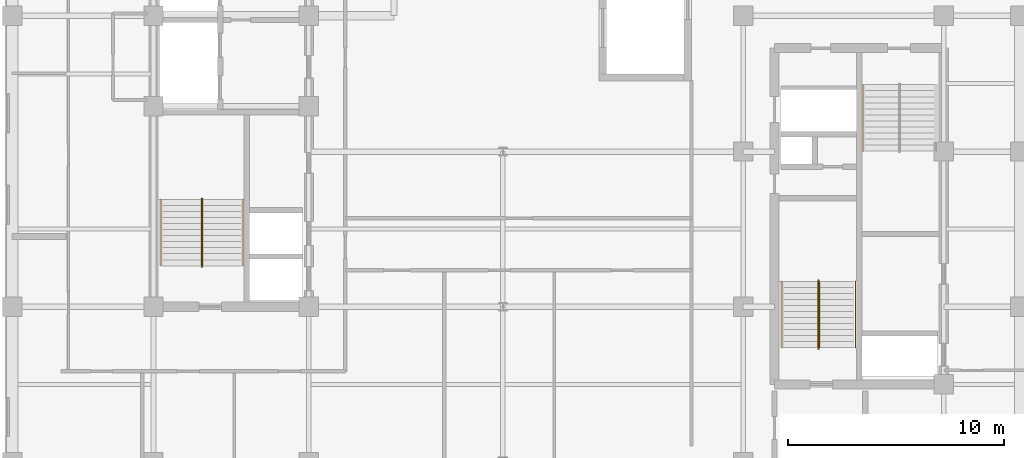
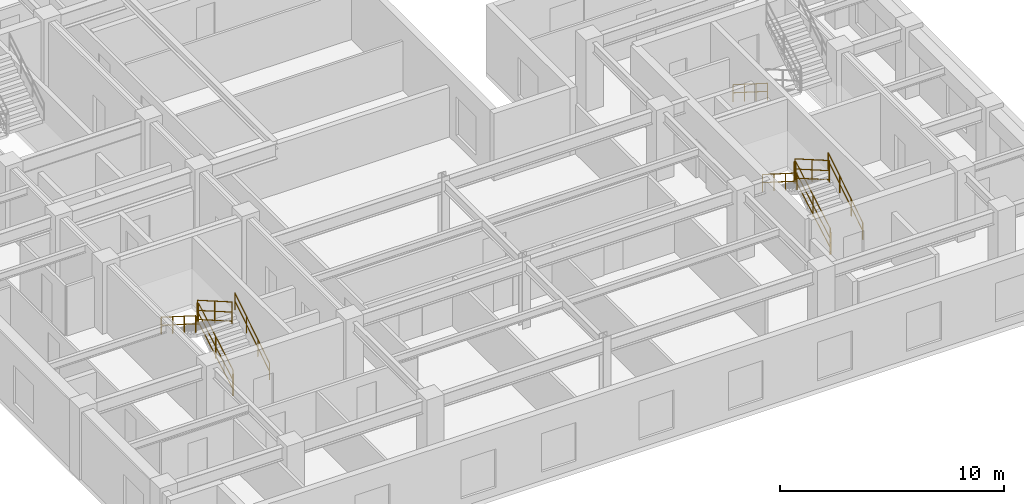
# One storey, part 8 of 10: 13 railings.
"""IFC4 building model written with IfcOpenShell, lengths in metres."""

from ifc_helpers import new_model, entity, si_unit, converted_unit, direction, frame, origin_with_axes, origin_2d_with_axis, place, context, subcontext, project, spatial, rectangle, circle, extrude, material, type_object, element, save


model = new_model("IFC4")

# Units and contexts
model_context = context("Model", 3, precision=1e-05, world=origin_with_axes(), true_north=direction((0.0, 1.0)))
body_context = subcontext(model_context, "Body", "Model", "MODEL_VIEW")
ifc_project = project(units=[si_unit("LENGTHUNIT", "METRE"), si_unit("AREAUNIT", "SQUARE_METRE"), si_unit("VOLUMEUNIT", "CUBIC_METRE"), converted_unit("PLANEANGLEUNIT", "DEGREE", entity("IfcPlaneAngleMeasure", 0.017453292519943295), si_unit("PLANEANGLEUNIT", "RADIAN"), dimensions=[0, 0, 0, 0, 0, 0, 0]), si_unit("MASSUNIT", "GRAM", prefix="KILO"), si_unit("THERMODYNAMICTEMPERATUREUNIT", "KELVIN")], contexts=[model_context])

# Site, building, storey
site_placement = place(None, origin_with_axes())
site = spatial("IfcSite", under=ifc_project, at=site_placement, CompositionType="ELEMENT")
building_placement = place(site_placement, origin_with_axes())
building = spatial("IfcBuilding", under=site, at=building_placement, Name="Varnlund Millrace Tower", CompositionType="ELEMENT")
storey_placement = place(building_placement, frame((0.0, 0.0, 232.5), z_axis=(0.0, 0.0, 1.0), x_axis=(1.0, 0.0, 0.0)))
storey = spatial("IfcBuildingStorey", under=building, at=storey_placement, Name="L57", CompositionType="ELEMENT", Elevation=232.5)

# Railings
ifc_material_1 = material(Name="Painted steel stair well balustrade guard", Category="steel")
railing_type_1 = type_object("IfcRailingType", Name="Type-StairGuard-1150", PredefinedType="GUARDRAIL", material=ifc_material_1)
railing_1_placement = place(storey_placement, frame((0.0, 0.0, -232.5), z_axis=(0.0, 0.0, 1.0), x_axis=(1.0, 0.0, 0.0)))
element("IfcRailing", 1, at=railing_1_placement, inside=storey, type_object=railing_type_1, Name="Type-StairGuard-1150", PredefinedType="GUARDRAIL", context=body_context, shape_type="SweptSolid", body=[
    extrude(circle(Radius=0.024, at=origin_2d_with_axis()), frame((13.675, 12.7, 233.827273), z_axis=(0.0, 0.866696, 0.498836), x_axis=(-1.0, 0.0, 0.0)), (0.0, 0.0, 1.0), 3.553725),
    extrude(circle(Radius=0.024, at=origin_2d_with_axis()), frame((13.675, 12.7, 232.777273), z_axis=(0.0, 0.866696, 0.498836), x_axis=(-1.0, 0.0, 0.0)), (0.0, 0.0, 1.0), 3.553725),
    extrude(circle(Radius=0.024, at=origin_2d_with_axis()), frame((13.675, 12.7, 233.275273), z_axis=(0.0, 0.866696, 0.498836), x_axis=(-1.0, 0.0, 0.0)), (0.0, 0.0, 1.0), 3.553725),
    extrude(rectangle(XDim=0.04, YDim=0.04, at=origin_2d_with_axis()), frame((13.675, 12.7, 232.637273), z_axis=(0.0, 0.0, 1.0), x_axis=(1.0, 0.0, 0.0)), (0.0, 0.0, 1.0), 1.19),
    extrude(rectangle(XDim=0.04, YDim=0.04, at=origin_2d_with_axis()), frame((13.675, 14.24, 233.523637), z_axis=(0.0, 0.0, 1.0), x_axis=(1.0, 0.0, 0.0)), (0.0, 0.0, 1.0), 1.19),
    extrude(rectangle(XDim=0.04, YDim=0.04, at=origin_2d_with_axis()), frame((13.675, 15.78, 234.41), z_axis=(0.0, 0.0, 1.0), x_axis=(1.0, 0.0, 0.0)), (0.0, 0.0, 1.0), 1.19),
])
railing_2_placement = place(storey_placement, frame((0.0, 0.0, -232.5), z_axis=(0.0, 0.0, 1.0), x_axis=(1.0, 0.0, 0.0)))
element("IfcRailing", 2, at=railing_2_placement, inside=storey, type_object=railing_type_1, Name="Type-StairGuard-1150", PredefinedType="GUARDRAIL", context=body_context, shape_type="SweptSolid", body=[
    extrude(circle(Radius=0.024, at=origin_2d_with_axis()), frame((13.625, 15.83, 235.6), z_axis=(1.0, 0.0, 0.0), x_axis=(0.0, 1.0, 0.0)), (0.0, 0.0, 1.0), 0.05),
    extrude(circle(Radius=0.024, at=origin_2d_with_axis()), frame((13.625, 15.83, 234.55), z_axis=(1.0, 0.0, 0.0), x_axis=(0.0, 1.0, 0.0)), (0.0, 0.0, 1.0), 0.05),
    extrude(circle(Radius=0.024, at=origin_2d_with_axis()), frame((13.625, 15.83, 235.048), z_axis=(1.0, 0.0, 0.0), x_axis=(0.0, 1.0, 0.0)), (0.0, 0.0, 1.0), 0.05),
    extrude(rectangle(XDim=0.04, YDim=0.04, at=origin_2d_with_axis()), frame((13.625, 15.83, 234.41), z_axis=(0.0, 0.0, 1.0), x_axis=(1.0, 0.0, 0.0)), (0.0, 0.0, 1.0), 1.19),
    extrude(rectangle(XDim=0.04, YDim=0.04, at=origin_2d_with_axis()), frame((13.675, 15.83, 234.41), z_axis=(0.0, 0.0, 1.0), x_axis=(1.0, 0.0, 0.0)), (0.0, 0.0, 1.0), 1.19),
])
railing_3_placement = place(storey_placement, frame((0.0, 0.0, -232.5), z_axis=(0.0, 0.0, 1.0), x_axis=(1.0, 0.0, 0.0)))
element("IfcRailing", 3, at=railing_3_placement, inside=storey, type_object=railing_type_1, Name="Type-StairGuard-1150", PredefinedType="GUARDRAIL", context=body_context, shape_type="SweptSolid", body=[
    extrude(circle(Radius=0.024, at=origin_2d_with_axis()), frame((13.625, 15.78, 235.777273), z_axis=(0.0, -0.866696, 0.498836), x_axis=(1.0, 0.0, 0.0)), (0.0, 0.0, 1.0), 3.553725),
    extrude(circle(Radius=0.024, at=origin_2d_with_axis()), frame((13.625, 15.78, 234.727273), z_axis=(0.0, -0.866696, 0.498836), x_axis=(1.0, 0.0, 0.0)), (0.0, 0.0, 1.0), 3.553725),
    extrude(circle(Radius=0.024, at=origin_2d_with_axis()), frame((13.625, 15.78, 235.225273), z_axis=(0.0, -0.866696, 0.498836), x_axis=(1.0, 0.0, 0.0)), (0.0, 0.0, 1.0), 3.553725),
    extrude(rectangle(XDim=0.04, YDim=0.04, at=origin_2d_with_axis()), frame((13.625, 15.78, 234.587273), z_axis=(0.0, 0.0, 1.0), x_axis=(1.0, 0.0, 0.0)), (0.0, 0.0, 1.0), 1.19),
    extrude(rectangle(XDim=0.04, YDim=0.04, at=origin_2d_with_axis()), frame((13.625, 14.24, 235.473637), z_axis=(0.0, 0.0, 1.0), x_axis=(1.0, 0.0, 0.0)), (0.0, 0.0, 1.0), 1.19),
    extrude(rectangle(XDim=0.04, YDim=0.04, at=origin_2d_with_axis()), frame((13.625, 12.7, 236.36), z_axis=(0.0, 0.0, 1.0), x_axis=(1.0, 0.0, 0.0)), (0.0, 0.0, 1.0), 1.19),
])
railing_4_placement = place(storey_placement, frame((0.0, 0.0, -232.5), z_axis=(0.0, 0.0, 1.0), x_axis=(1.0, 0.0, 0.0)))
element("IfcRailing", 4, at=railing_4_placement, inside=storey, type_object=railing_type_1, Name="Type-StairGuard-1150", PredefinedType="GUARDRAIL", context=body_context, shape_type="SweptSolid", body=[
    extrude(circle(Radius=0.024, at=origin_2d_with_axis()), frame((13.625, 12.65, 233.65), z_axis=(1.0, 0.0, 0.0), x_axis=(0.0, 1.0, 0.0)), (0.0, 0.0, 1.0), 0.05),
    extrude(circle(Radius=0.024, at=origin_2d_with_axis()), frame((13.625, 12.65, 232.6), z_axis=(1.0, 0.0, 0.0), x_axis=(0.0, 1.0, 0.0)), (0.0, 0.0, 1.0), 0.05),
    extrude(circle(Radius=0.024, at=origin_2d_with_axis()), frame((13.625, 12.65, 233.098), z_axis=(1.0, 0.0, 0.0), x_axis=(0.0, 1.0, 0.0)), (0.0, 0.0, 1.0), 0.05),
    extrude(rectangle(XDim=0.04, YDim=0.04, at=origin_2d_with_axis()), frame((13.625, 12.65, 232.46), z_axis=(0.0, 0.0, 1.0), x_axis=(1.0, 0.0, 0.0)), (0.0, 0.0, 1.0), 1.19),
    extrude(rectangle(XDim=0.04, YDim=0.04, at=origin_2d_with_axis()), frame((13.675, 12.65, 232.46), z_axis=(0.0, 0.0, 1.0), x_axis=(1.0, 0.0, 0.0)), (0.0, 0.0, 1.0), 1.19),
])
railing_5_placement = place(storey_placement, frame((0.0, 0.0, -232.5), z_axis=(0.0, 0.0, 1.0), x_axis=(1.0, 0.0, 0.0)))
element("IfcRailing", 5, at=railing_5_placement, inside=storey, type_object=railing_type_1, Name="Type-StairGuard-1150", PredefinedType="GUARDRAIL", context=body_context, shape_type="SweptSolid", body=[
    extrude(circle(Radius=0.024, at=origin_2d_with_axis()), frame((42.275, 8.9, 233.827273), z_axis=(0.0, 0.866696, 0.498836), x_axis=(-1.0, 0.0, 0.0)), (0.0, 0.0, 1.0), 3.553725),
    extrude(circle(Radius=0.024, at=origin_2d_with_axis()), frame((42.275, 8.9, 232.777273), z_axis=(0.0, 0.866696, 0.498836), x_axis=(-1.0, 0.0, 0.0)), (0.0, 0.0, 1.0), 3.553725),
    extrude(circle(Radius=0.024, at=origin_2d_with_axis()), frame((42.275, 8.9, 233.275273), z_axis=(0.0, 0.866696, 0.498836), x_axis=(-1.0, 0.0, 0.0)), (0.0, 0.0, 1.0), 3.553725),
    extrude(rectangle(XDim=0.04, YDim=0.04, at=origin_2d_with_axis()), frame((42.275, 8.9, 232.637273), z_axis=(0.0, 0.0, 1.0), x_axis=(1.0, 0.0, 0.0)), (0.0, 0.0, 1.0), 1.19),
    extrude(rectangle(XDim=0.04, YDim=0.04, at=origin_2d_with_axis()), frame((42.275, 10.44, 233.523637), z_axis=(0.0, 0.0, 1.0), x_axis=(1.0, 0.0, 0.0)), (0.0, 0.0, 1.0), 1.19),
    extrude(rectangle(XDim=0.04, YDim=0.04, at=origin_2d_with_axis()), frame((42.275, 11.98, 234.41), z_axis=(0.0, 0.0, 1.0), x_axis=(1.0, 0.0, 0.0)), (0.0, 0.0, 1.0), 1.19),
])
railing_6_placement = place(storey_placement, frame((0.0, 0.0, -232.5), z_axis=(0.0, 0.0, 1.0), x_axis=(1.0, 0.0, 0.0)))
element("IfcRailing", 6, at=railing_6_placement, inside=storey, type_object=railing_type_1, Name="Type-StairGuard-1150", PredefinedType="GUARDRAIL", context=body_context, shape_type="SweptSolid", body=[
    extrude(circle(Radius=0.024, at=origin_2d_with_axis()), frame((42.225, 12.03, 235.6), z_axis=(1.0, 0.0, 0.0), x_axis=(0.0, 1.0, 0.0)), (0.0, 0.0, 1.0), 0.05),
    extrude(circle(Radius=0.024, at=origin_2d_with_axis()), frame((42.225, 12.03, 234.55), z_axis=(1.0, 0.0, 0.0), x_axis=(0.0, 1.0, 0.0)), (0.0, 0.0, 1.0), 0.05),
    extrude(circle(Radius=0.024, at=origin_2d_with_axis()), frame((42.225, 12.03, 235.048), z_axis=(1.0, 0.0, 0.0), x_axis=(0.0, 1.0, 0.0)), (0.0, 0.0, 1.0), 0.05),
    extrude(rectangle(XDim=0.04, YDim=0.04, at=origin_2d_with_axis()), frame((42.225, 12.03, 234.41), z_axis=(0.0, 0.0, 1.0), x_axis=(1.0, 0.0, 0.0)), (0.0, 0.0, 1.0), 1.19),
    extrude(rectangle(XDim=0.04, YDim=0.04, at=origin_2d_with_axis()), frame((42.275, 12.03, 234.41), z_axis=(0.0, 0.0, 1.0), x_axis=(1.0, 0.0, 0.0)), (0.0, 0.0, 1.0), 1.19),
])
railing_7_placement = place(storey_placement, frame((0.0, 0.0, -232.5), z_axis=(0.0, 0.0, 1.0), x_axis=(1.0, 0.0, 0.0)))
element("IfcRailing", 7, at=railing_7_placement, inside=storey, type_object=railing_type_1, Name="Type-StairGuard-1150", PredefinedType="GUARDRAIL", context=body_context, shape_type="SweptSolid", body=[
    extrude(circle(Radius=0.024, at=origin_2d_with_axis()), frame((42.225, 11.98, 235.777273), z_axis=(0.0, -0.866696, 0.498836), x_axis=(1.0, 0.0, 0.0)), (0.0, 0.0, 1.0), 3.553725),
    extrude(circle(Radius=0.024, at=origin_2d_with_axis()), frame((42.225, 11.98, 234.727273), z_axis=(0.0, -0.866696, 0.498836), x_axis=(1.0, 0.0, 0.0)), (0.0, 0.0, 1.0), 3.553725),
    extrude(circle(Radius=0.024, at=origin_2d_with_axis()), frame((42.225, 11.98, 235.225273), z_axis=(0.0, -0.866696, 0.498836), x_axis=(1.0, 0.0, 0.0)), (0.0, 0.0, 1.0), 3.553725),
    extrude(rectangle(XDim=0.04, YDim=0.04, at=origin_2d_with_axis()), frame((42.225, 11.98, 234.587273), z_axis=(0.0, 0.0, 1.0), x_axis=(1.0, 0.0, 0.0)), (0.0, 0.0, 1.0), 1.19),
    extrude(rectangle(XDim=0.04, YDim=0.04, at=origin_2d_with_axis()), frame((42.225, 10.44, 235.473637), z_axis=(0.0, 0.0, 1.0), x_axis=(1.0, 0.0, 0.0)), (0.0, 0.0, 1.0), 1.19),
    extrude(rectangle(XDim=0.04, YDim=0.04, at=origin_2d_with_axis()), frame((42.225, 8.9, 236.36), z_axis=(0.0, 0.0, 1.0), x_axis=(1.0, 0.0, 0.0)), (0.0, 0.0, 1.0), 1.19),
])
railing_8_placement = place(storey_placement, frame((0.0, 0.0, -232.5), z_axis=(0.0, 0.0, 1.0), x_axis=(1.0, 0.0, 0.0)))
element("IfcRailing", 8, at=railing_8_placement, inside=storey, type_object=railing_type_1, Name="Type-StairGuard-1150", PredefinedType="GUARDRAIL", context=body_context, shape_type="SweptSolid", body=[
    extrude(circle(Radius=0.024, at=origin_2d_with_axis()), frame((42.225, 8.85, 233.65), z_axis=(1.0, 0.0, 0.0), x_axis=(0.0, 1.0, 0.0)), (0.0, 0.0, 1.0), 0.05),
    extrude(circle(Radius=0.024, at=origin_2d_with_axis()), frame((42.225, 8.85, 232.6), z_axis=(1.0, 0.0, 0.0), x_axis=(0.0, 1.0, 0.0)), (0.0, 0.0, 1.0), 0.05),
    extrude(circle(Radius=0.024, at=origin_2d_with_axis()), frame((42.225, 8.85, 233.098), z_axis=(1.0, 0.0, 0.0), x_axis=(0.0, 1.0, 0.0)), (0.0, 0.0, 1.0), 0.05),
    extrude(rectangle(XDim=0.04, YDim=0.04, at=origin_2d_with_axis()), frame((42.225, 8.85, 232.46), z_axis=(0.0, 0.0, 1.0), x_axis=(1.0, 0.0, 0.0)), (0.0, 0.0, 1.0), 1.19),
    extrude(rectangle(XDim=0.04, YDim=0.04, at=origin_2d_with_axis()), frame((42.275, 8.85, 232.46), z_axis=(0.0, 0.0, 1.0), x_axis=(1.0, 0.0, 0.0)), (0.0, 0.0, 1.0), 1.19),
])
ifc_material_2 = material(Name="Brushed architectural bronze stair handrail", Category="aluminium")
railing_type_2 = type_object("IfcRailingType", Name="Type-StairHandrail-900", PredefinedType="HANDRAIL", material=ifc_material_2)
railing_9_placement = place(storey_placement, frame((0.0, 0.0, -232.5), z_axis=(0.0, 0.0, 1.0), x_axis=(1.0, 0.0, 0.0)))
element("IfcRailing", 9, at=railing_9_placement, inside=storey, type_object=railing_type_2, Name="Type-StairHandrail-900", PredefinedType="HANDRAIL", context=body_context, shape_type="SweptSolid", body=[
    extrude(circle(Radius=0.024, at=origin_2d_with_axis()), frame((15.55, 12.7, 233.556995), z_axis=(0.0, 0.844902, 0.534922), x_axis=(-1.0, 0.0, 0.0)), (0.0, 0.0, 1.0), 3.645394),
    extrude(circle(Radius=0.024, at=origin_2d_with_axis()), frame((15.55, 12.7, 233.117134), z_axis=(0.0, 0.844902, 0.534922), x_axis=(-1.0, 0.0, 0.0)), (0.0, 0.0, 1.0), 3.645394),
    extrude(rectangle(XDim=0.04, YDim=0.04, at=origin_2d_with_axis()), frame((15.55, 12.7, 232.637273), z_axis=(0.0, 0.0, 1.0), x_axis=(1.0, 0.0, 0.0)), (0.0, 0.0, 1.0), 0.919722),
    extrude(rectangle(XDim=0.04, YDim=0.04, at=origin_2d_with_axis()), frame((15.55, 13.726667, 233.287273), z_axis=(0.0, 0.0, 1.0), x_axis=(1.0, 0.0, 0.0)), (0.0, 0.0, 1.0), 0.919722),
    extrude(rectangle(XDim=0.04, YDim=0.04, at=origin_2d_with_axis()), frame((15.55, 14.753333, 233.937273), z_axis=(0.0, 0.0, 1.0), x_axis=(1.0, 0.0, 0.0)), (0.0, 0.0, 1.0), 0.919722),
    extrude(rectangle(XDim=0.04, YDim=0.04, at=origin_2d_with_axis()), frame((15.55, 15.78, 234.587273), z_axis=(0.0, 0.0, 1.0), x_axis=(1.0, 0.0, 0.0)), (0.0, 0.0, 1.0), 0.919722),
])
railing_10_placement = place(storey_placement, frame((0.0, 0.0, -232.5), z_axis=(0.0, 0.0, 1.0), x_axis=(1.0, 0.0, 0.0)))
element("IfcRailing", 10, at=railing_10_placement, inside=storey, type_object=railing_type_2, Name="Type-StairHandrail-900", PredefinedType="HANDRAIL", context=body_context, shape_type="SweptSolid", body=[
    extrude(circle(Radius=0.024, at=origin_2d_with_axis()), frame((11.75, 15.78, 235.506995), z_axis=(0.0, -0.844902, 0.534922), x_axis=(1.0, 0.0, 0.0)), (0.0, 0.0, 1.0), 3.645394),
    extrude(circle(Radius=0.024, at=origin_2d_with_axis()), frame((11.75, 15.78, 235.067134), z_axis=(0.0, -0.844902, 0.534922), x_axis=(1.0, 0.0, 0.0)), (0.0, 0.0, 1.0), 3.645394),
    extrude(rectangle(XDim=0.04, YDim=0.04, at=origin_2d_with_axis()), frame((11.75, 15.78, 234.587273), z_axis=(0.0, 0.0, 1.0), x_axis=(1.0, 0.0, 0.0)), (0.0, 0.0, 1.0), 0.919722),
    extrude(rectangle(XDim=0.04, YDim=0.04, at=origin_2d_with_axis()), frame((11.75, 14.753333, 235.237273), z_axis=(0.0, 0.0, 1.0), x_axis=(1.0, 0.0, 0.0)), (0.0, 0.0, 1.0), 0.919722),
    extrude(rectangle(XDim=0.04, YDim=0.04, at=origin_2d_with_axis()), frame((11.75, 13.726667, 235.887273), z_axis=(0.0, 0.0, 1.0), x_axis=(1.0, 0.0, 0.0)), (0.0, 0.0, 1.0), 0.919722),
    extrude(rectangle(XDim=0.04, YDim=0.04, at=origin_2d_with_axis()), frame((11.75, 12.7, 236.537273), z_axis=(0.0, 0.0, 1.0), x_axis=(1.0, 0.0, 0.0)), (0.0, 0.0, 1.0), 0.919722),
])
railing_11_placement = place(storey_placement, frame((0.0, 0.0, -232.5), z_axis=(0.0, 0.0, 1.0), x_axis=(1.0, 0.0, 0.0)))
element("IfcRailing", 11, at=railing_11_placement, inside=storey, type_object=railing_type_2, Name="Type-StairHandrail-900", PredefinedType="HANDRAIL", context=body_context, shape_type="SweptSolid", body=[
    extrude(circle(Radius=0.024, at=origin_2d_with_axis()), frame((43.95, 8.9, 233.556995), z_axis=(0.0, 0.844902, 0.534922), x_axis=(-1.0, 0.0, 0.0)), (0.0, 0.0, 1.0), 3.645394),
    extrude(circle(Radius=0.024, at=origin_2d_with_axis()), frame((43.95, 8.9, 233.117134), z_axis=(0.0, 0.844902, 0.534922), x_axis=(-1.0, 0.0, 0.0)), (0.0, 0.0, 1.0), 3.645394),
    extrude(rectangle(XDim=0.04, YDim=0.04, at=origin_2d_with_axis()), frame((43.95, 8.9, 232.637273), z_axis=(0.0, 0.0, 1.0), x_axis=(1.0, 0.0, 0.0)), (0.0, 0.0, 1.0), 0.919722),
    extrude(rectangle(XDim=0.04, YDim=0.04, at=origin_2d_with_axis()), frame((43.95, 9.926667, 233.287273), z_axis=(0.0, 0.0, 1.0), x_axis=(1.0, 0.0, 0.0)), (0.0, 0.0, 1.0), 0.919722),
    extrude(rectangle(XDim=0.04, YDim=0.04, at=origin_2d_with_axis()), frame((43.95, 10.953333, 233.937273), z_axis=(0.0, 0.0, 1.0), x_axis=(1.0, 0.0, 0.0)), (0.0, 0.0, 1.0), 0.919722),
    extrude(rectangle(XDim=0.04, YDim=0.04, at=origin_2d_with_axis()), frame((43.95, 11.98, 234.587273), z_axis=(0.0, 0.0, 1.0), x_axis=(1.0, 0.0, 0.0)), (0.0, 0.0, 1.0), 0.919722),
])
railing_12_placement = place(storey_placement, frame((0.0, 0.0, -232.5), z_axis=(0.0, 0.0, 1.0), x_axis=(1.0, 0.0, 0.0)))
element("IfcRailing", 12, at=railing_12_placement, inside=storey, type_object=railing_type_2, Name="Type-StairHandrail-900", PredefinedType="HANDRAIL", context=body_context, shape_type="SweptSolid", body=[
    extrude(circle(Radius=0.024, at=origin_2d_with_axis()), frame((40.55, 11.98, 235.506995), z_axis=(0.0, -0.844902, 0.534922), x_axis=(1.0, 0.0, 0.0)), (0.0, 0.0, 1.0), 3.645394),
    extrude(circle(Radius=0.024, at=origin_2d_with_axis()), frame((40.55, 11.98, 235.067134), z_axis=(0.0, -0.844902, 0.534922), x_axis=(1.0, 0.0, 0.0)), (0.0, 0.0, 1.0), 3.645394),
    extrude(rectangle(XDim=0.04, YDim=0.04, at=origin_2d_with_axis()), frame((40.55, 11.98, 234.587273), z_axis=(0.0, 0.0, 1.0), x_axis=(1.0, 0.0, 0.0)), (0.0, 0.0, 1.0), 0.919722),
    extrude(rectangle(XDim=0.04, YDim=0.04, at=origin_2d_with_axis()), frame((40.55, 10.953333, 235.237273), z_axis=(0.0, 0.0, 1.0), x_axis=(1.0, 0.0, 0.0)), (0.0, 0.0, 1.0), 0.919722),
    extrude(rectangle(XDim=0.04, YDim=0.04, at=origin_2d_with_axis()), frame((40.55, 9.926667, 235.887273), z_axis=(0.0, 0.0, 1.0), x_axis=(1.0, 0.0, 0.0)), (0.0, 0.0, 1.0), 0.919722),
    extrude(rectangle(XDim=0.04, YDim=0.04, at=origin_2d_with_axis()), frame((40.55, 8.9, 236.537273), z_axis=(0.0, 0.0, 1.0), x_axis=(1.0, 0.0, 0.0)), (0.0, 0.0, 1.0), 0.919722),
])
railing_13_placement = place(storey_placement, frame((0.0, 0.0, -232.5), z_axis=(0.0, 0.0, 1.0), x_axis=(1.0, 0.0, 0.0)))
element("IfcRailing", 13, at=railing_13_placement, inside=storey, type_object=railing_type_2, Name="Type-StairHandrail-900", PredefinedType="HANDRAIL", context=body_context, shape_type="SweptSolid", body=[
    extrude(circle(Radius=0.024, at=origin_2d_with_axis()), frame((44.3, 21.1, 233.556995), z_axis=(0.0, -0.844902, 0.534922), x_axis=(1.0, 0.0, 0.0)), (0.0, 0.0, 1.0), 3.645394),
    extrude(circle(Radius=0.024, at=origin_2d_with_axis()), frame((44.3, 21.1, 233.117134), z_axis=(0.0, -0.844902, 0.534922), x_axis=(1.0, 0.0, 0.0)), (0.0, 0.0, 1.0), 3.645394),
    extrude(rectangle(XDim=0.04, YDim=0.04, at=origin_2d_with_axis()), frame((44.3, 21.1, 232.637273), z_axis=(0.0, 0.0, 1.0), x_axis=(1.0, 0.0, 0.0)), (0.0, 0.0, 1.0), 0.919722),
    extrude(rectangle(XDim=0.04, YDim=0.04, at=origin_2d_with_axis()), frame((44.3, 20.073333, 233.287273), z_axis=(0.0, 0.0, 1.0), x_axis=(1.0, 0.0, 0.0)), (0.0, 0.0, 1.0), 0.919722),
    extrude(rectangle(XDim=0.04, YDim=0.04, at=origin_2d_with_axis()), frame((44.3, 19.046667, 233.937273), z_axis=(0.0, 0.0, 1.0), x_axis=(1.0, 0.0, 0.0)), (0.0, 0.0, 1.0), 0.919722),
    extrude(rectangle(XDim=0.04, YDim=0.04, at=origin_2d_with_axis()), frame((44.3, 18.02, 234.587273), z_axis=(0.0, 0.0, 1.0), x_axis=(1.0, 0.0, 0.0)), (0.0, 0.0, 1.0), 0.919722),
])

save(model, "model.ifc")
